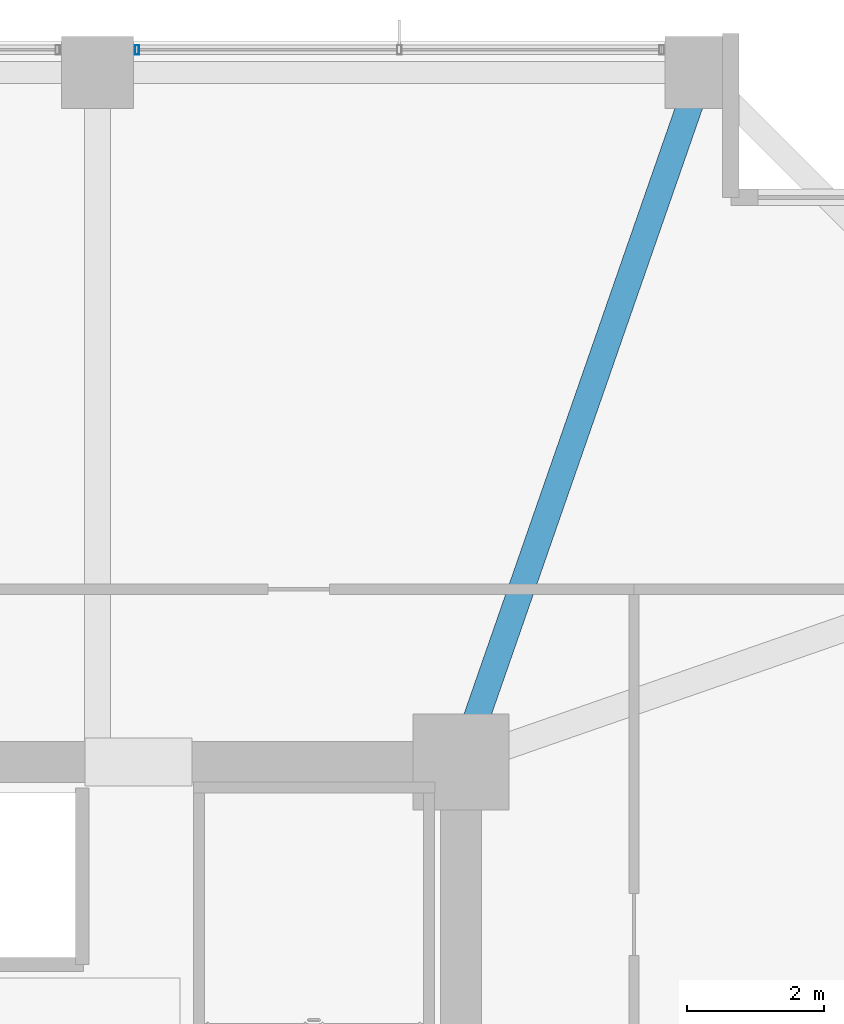
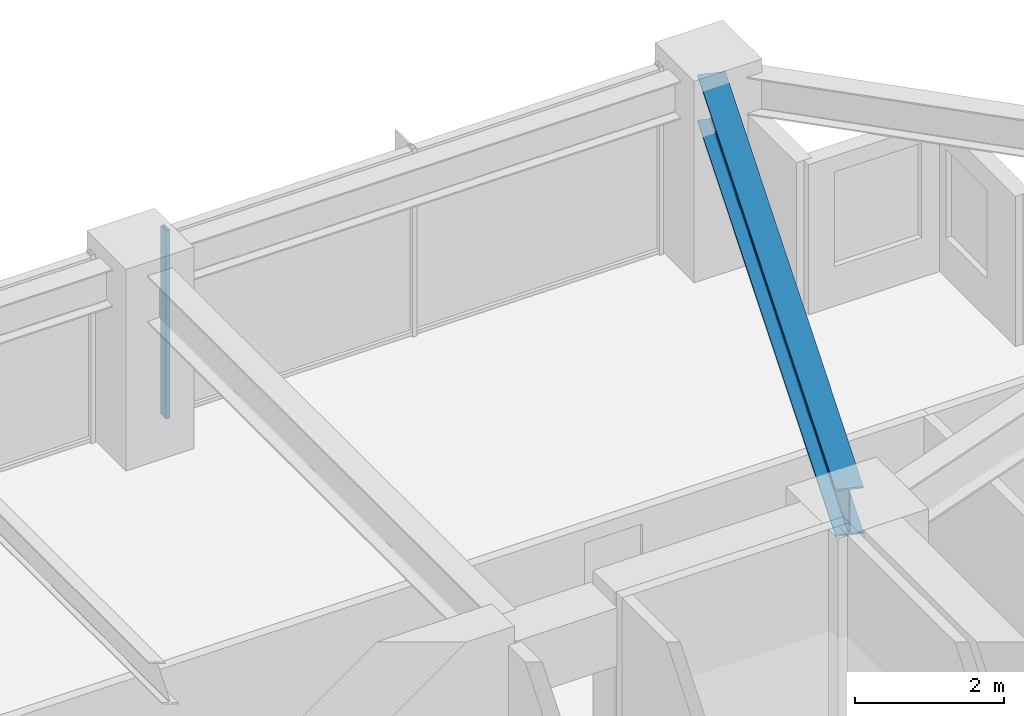
# One storey, part 22 of 36: 1 beam, 1 member, 1 element without a shape of its own.
"""IFC4 building model written with IfcOpenShell, lengths in metres."""

import ifcopenshell
import ifcopenshell.guid

model = None  # the IFC model being written
_history = None  # IfcOwnerHistory: only IFC2X3 demands one
_inside = {}  # id of a spatial element -> (the spatial element, [elements in it])
_under = {}  # id of a project, library or spatial element -> (it, [spatial elements below it])
_declared = {}  # id of a project -> (the project, [libraries it declares])
_typed = {}  # id of a type object -> (the type object, [elements of that type])
_made_of = {}  # id of a material, layer set ... -> (it, [elements and type objects made of it])


def new_model(schema):
    """Start an empty IFC model of exactly this schema.

    Asked for "IFC4X3", IfcOpenShell would pick the latest addendum, in which some entities
    have other attributes; the version numbers below select the first issue.
    IFC2X3 requires an IfcOwnerHistory on every rooted entity: one is made here for all.
    """
    global model, _history
    if schema == "IFC4X3":
        model = ifcopenshell.file(schema_version=(4, 3, 0, 0))
    else:
        model = ifcopenshell.file(schema=schema)
    _inside.clear()
    _under.clear()
    _declared.clear()
    _typed.clear()
    _made_of.clear()
    _history = None
    if model.schema == "IFC2X3":
        org = make("IfcOrganization", Name="unknown")
        user = make(
            "IfcPersonAndOrganization",
            ThePerson=make("IfcPerson", FamilyName="unknown"),
            TheOrganization=org,
        )
        app = make(
            "IfcApplication",
            ApplicationDeveloper=org,
            Version="unknown",
            ApplicationFullName="unknown",
            ApplicationIdentifier="unknown",
        )
        _history = make(
            "IfcOwnerHistory",
            OwningUser=user,
            OwningApplication=app,
            ChangeAction="ADDED",
            CreationDate=0,
        )
    return model


def make(cls, **values):
    """One entity of the class cls with the attributes given. An attribute that is None is left unset."""
    return model.create_entity(
        cls, **{name: value for name, value in values.items() if value is not None}
    )


def rooted(cls, **values):
    """An entity with a GlobalId (a new one), such as an element, a storey or a relation."""
    return make(cls, GlobalId=ifcopenshell.guid.new(), OwnerHistory=_history, **values)


def si_unit(unit_type, name, prefix=None):
    """IfcSIUnit, for example si_unit("LENGTHUNIT", "METRE", prefix="MILLI")."""
    return make("IfcSIUnit", UnitType=unit_type, Prefix=prefix, Name=name)


def assignment(units):
    """IfcUnitAssignment: the units of a project."""
    return None if units is None else make("IfcUnitAssignment", Units=units)


def point(xyz):
    """IfcCartesianPoint."""
    return None if xyz is None else make("IfcCartesianPoint", Coordinates=xyz)


def direction(xyz):
    """IfcDirection."""
    return None if xyz is None else make("IfcDirection", DirectionRatios=xyz)


def frame(location, z_axis=None, x_axis=None):
    """IfcAxis2Placement3D, a coordinate frame: its origin and axes. An axis left out is left unset."""
    return make(
        "IfcAxis2Placement3D",
        Location=point(location),
        Axis=direction(z_axis),
        RefDirection=direction(x_axis),
    )


def frame_2d(location, x_axis=None):
    """IfcAxis2Placement2D, a coordinate frame in the plane: its origin and x axis."""
    return make(
        "IfcAxis2Placement2D", Location=point(location), RefDirection=direction(x_axis)
    )


def origin():
    """The frame at (0, 0, 0) with its axes left unset."""
    return frame((0.0, 0.0, 0.0))


def origin_2d():
    """The frame at (0, 0) in the plane with its x axis left unset."""
    return frame_2d((0.0, 0.0))


def place(relative_to, where):
    """IfcLocalPlacement: puts the frame where relative to a parent placement (None: the world)."""
    return make(
        "IfcLocalPlacement", PlacementRelTo=relative_to, RelativePlacement=where
    )


def context(
    kind, dimensions, precision=None, world=None, true_north=None, identifier=None
):
    """IfcGeometricRepresentationContext, for example the 3D "Model" context."""
    return make(
        "IfcGeometricRepresentationContext",
        ContextIdentifier=identifier,
        ContextType=kind,
        CoordinateSpaceDimension=dimensions,
        Precision=precision,
        WorldCoordinateSystem=world,
        TrueNorth=true_north,
    )


def subcontext(parent, identifier, kind, view, scale=None):
    """IfcGeometricRepresentationSubContext, for example "Body" below "Model"."""
    return make(
        "IfcGeometricRepresentationSubContext",
        ContextIdentifier=identifier,
        ContextType=kind,
        ParentContext=parent,
        TargetScale=scale,
        TargetView=view,
    )


def project(units=None, contexts=None):
    """IfcProject with its units and contexts."""
    return rooted(
        "IfcProject",
        Name="project",
        RepresentationContexts=contexts,
        UnitsInContext=assignment(units),
    )


def spatial(cls, under=None, at=None, **own):
    """A site, building, storey or space (cls), placed at a placement, below another one or the project."""
    s = rooted(cls, ObjectPlacement=at, **own)
    if under is not None:
        _under.setdefault(under.id(), (under, []))[1].append(s)
    return s


def profile(cls, at=None, kind="AREA", **sizes):
    """A parametric profile (cls). Its sizes go by their IFC names, for example OverallWidth=200.0."""
    return make(cls, ProfileType=kind, Position=at, **sizes)


def hollow_rectangle(**sizes):
    """IfcRectangleHollowProfileDef."""
    return profile("IfcRectangleHollowProfileDef", **sizes)


def i_section(**sizes):
    """IfcIShapeProfileDef."""
    return profile("IfcIShapeProfileDef", **sizes)


def extrude(swept, where, along, depth):
    """IfcExtrudedAreaSolid: the profile swept, set in the frame where, extruded along a direction by depth."""
    return make(
        "IfcExtrudedAreaSolid",
        SweptArea=swept,
        Position=where,
        ExtrudedDirection=direction(along),
        Depth=depth,
    )


def shape(context_of_items, identifier, shape_type, items):
    """IfcShapeRepresentation: the items that make up one representation, for example the "Body"."""
    return make(
        "IfcShapeRepresentation",
        ContextOfItems=context_of_items,
        RepresentationIdentifier=identifier,
        RepresentationType=shape_type,
        Items=items,
    )


def material(Name=None, Category=None):
    """IfcMaterial."""
    return make("IfcMaterial", Name=Name, Category=Category)


def material_profile(
    of_material, cross_section, Name=None, Category=None, Priority=None
):
    """IfcMaterialProfile: a cross section and its material."""
    return make(
        "IfcMaterialProfile",
        Name=Name,
        Material=of_material,
        Profile=cross_section,
        Priority=Priority,
        Category=Category,
    )


def profile_set(profiles, Name=None, composite=None):
    """IfcMaterialProfileSet."""
    return make(
        "IfcMaterialProfileSet",
        Name=Name,
        MaterialProfiles=profiles,
        CompositeProfile=composite,
    )


def made_of(thing, what):
    """Note that an element or type object is made of a material, layer set ...; save() writes the relation."""
    if what is not None:
        _made_of.setdefault(what.id(), (what, []))[1].append(thing)
    return thing


def type_object(cls, material=None, **own):
    """A type object (cls), such as IfcWallType, which elements share."""
    return made_of(rooted(cls, **own), material)


def element(
    cls,
    number,
    at=None,
    inside=None,
    cuts=None,
    type_object=None,
    material=None,
    context=None,
    identifier="Body",
    shape_type=None,
    held_by="IfcProductDefinitionShape",
    body=None,
    shapes=None,
    **own,
):
    """One element of the class cls, such as IfcWall. Its Tag is "e" and its number.

    at: its placement. inside: the storey or other place that contains it. cuts: it is an
    opening in that element (IfcRelVoidsElement). A single representation is given by context,
    identifier, shape_type and body (its items); several are given by shapes. held_by: the class
    of the entity that holds the representations. save() writes the other relations.
    """
    e = rooted(cls, Tag="e%d" % number, ObjectPlacement=at, **own)
    if body is not None:
        shapes = [shape(context, identifier, shape_type, body)]
    if shapes is not None:
        e.Representation = make(held_by, Representations=shapes)
    if inside is not None:
        _inside.setdefault(inside.id(), (inside, []))[1].append(e)
    if cuts is not None:
        rooted(
            "IfcRelVoidsElement", RelatingBuildingElement=cuts, RelatedOpeningElement=e
        )
    if type_object is not None:
        _typed.setdefault(type_object.id(), (type_object, []))[1].append(e)
    return made_of(e, material)


def aggregate(whole, parts):
    """IfcRelAggregates: a whole, such as a stair, and the parts it consists of."""
    return rooted("IfcRelAggregates", RelatingObject=whole, RelatedObjects=parts)


def save(model, path):
    """Write the relations noted so far, then the file.

    IfcRelAggregates (storeys below a building ...), IfcRelContainedInSpatialStructure (elements
    in a storey), IfcRelDefinesByType, IfcRelAssociatesMaterial and IfcRelDeclares: one each for
    every whole, place, type object, material and project.
    """
    for whole, parts in _under.values():
        aggregate(whole, parts)
    for where, things in _inside.values():
        rooted(
            "IfcRelContainedInSpatialStructure",
            RelatedElements=things,
            RelatingStructure=where,
        )
    for kind, things in _typed.values():
        rooted("IfcRelDefinesByType", RelatedObjects=things, RelatingType=kind)
    for what, things in _made_of.values():
        rooted("IfcRelAssociatesMaterial", RelatedObjects=things, RelatingMaterial=what)
    for by, libraries in _declared.values():
        rooted("IfcRelDeclares", RelatingContext=by, RelatedDefinitions=libraries)
    model.write(path)


model = new_model("IFC4")

# Units and contexts
model_context = context("Model", 3, precision=1e-05, world=origin(), true_north=direction((0.0, 1.0)))
body_context = subcontext(model_context, "Body", "Model", "MODEL_VIEW")
ifc_project = project(units=[si_unit("LENGTHUNIT", "METRE"), si_unit("AREAUNIT", "SQUARE_METRE"), si_unit("VOLUMEUNIT", "CUBIC_METRE"), si_unit("PLANEANGLEUNIT", "RADIAN"), si_unit("MASSUNIT", "GRAM", prefix="KILO")], contexts=[model_context])

# Site, building, storey
site_placement = place(None, origin())
site = spatial("IfcSite", under=ifc_project, at=site_placement, CompositionType="ELEMENT")
building_placement = place(site_placement, origin())
building = spatial("IfcBuilding", under=site, at=building_placement, Name="Kolvaren Belvedere", CompositionType="ELEMENT")
storey_placement = place(building_placement, frame((0.0, 0.0, 88.699951171875)))
storey = spatial("IfcBuildingStorey", under=building, at=storey_placement, Name="L25", CompositionType="ELEMENT", Elevation=88.699951171875)

# Beam
ifc_material_1 = material(Name="Structural steel ASTM A992 Grade 50", Category="steel")
ifc_material_profile_1 = material_profile(ifc_material_1, i_section(OverallWidth=0.381103515625, OverallDepth=0.77294921875, WebThickness=0.0166015625, FlangeThickness=0.027099609375, FilletRadius=0.02392578125, at=origin_2d()), Name="W30X173")
ifc_profile_set_1 = profile_set([ifc_material_profile_1], Name="Structural steel ASTM A992 Grade 50")
beam_type = type_object("IfcBeamType", Name="BM-GIRD-W30X173", PredefinedType="BEAM", material=ifc_profile_set_1)
beam_placement = place(storey_placement, frame((10.080810546875, 10.41943359375, 2.693603515625), z_axis=(0.328880894453, 0.944371408538, 0.0), x_axis=(-0.944371408538, 0.328880894453, 0.0)))
element("IfcBeam", 1, at=beam_placement, inside=storey, type_object=beam_type, Name="L25 Corner Core-to-Perimeter Girder CC3-N4", PredefinedType="BEAM", context=body_context, shape_type="SweptSolid", body=[
    extrude(i_section(OverallWidth=0.381103515625, OverallDepth=0.77294921875, WebThickness=0.0166015625, FlangeThickness=0.027099609375, FilletRadius=0.02392578125, at=origin_2d()), origin(), (0.0, 0.0, 1.0), 9.882080078125),
])

# Curtain wall, member
ifc_material_2 = material(Name="Anodised pale-metal aluminium AA 6063-T6", Category="aluminium")
curtain_wall_type = type_object("IfcCurtainWallType", Name="CW-Z2-MID", PredefinedType="NOTDEFINED", material=ifc_material_2)
curtain_wall_placement = place(storey_placement, origin())
curtain_wall = element("IfcCurtainWall", 2, at=curtain_wall_placement, inside=storey, type_object=curtain_wall_type, Name="L25 Unitised Curtain Wall FCW-L25-N-B3", PredefinedType="NOTDEFINED")
ifc_material_3 = material(Name="Anodised pale-metal aluminium AA 6063-T6", Category="aluminium")
ifc_material_profile_2 = material_profile(ifc_material_3, hollow_rectangle(XDim=0.06494140625, YDim=0.139892578125, WallThickness=0.00390625, at=origin_2d()), Name="ALU-MUL-140X65")
ifc_profile_set_2 = profile_set([ifc_material_profile_2], Name="Anodised pale-metal aluminium AA 6063-T6")
member_type = type_object("IfcMemberType", Name="CW-MUL-140", PredefinedType="MULLION", material=ifc_profile_set_2)
member_placement = place(storey_placement, frame((5.177490234375, 20.280029296875, 0.0), z_axis=(0.0, 0.0, 1.0), x_axis=(1.0, 0.0, 0.0)))
member = element("IfcMember", 3, at=member_placement, type_object=member_type, Name="FCW-L25-N-B3 Unitised Mullion 1", PredefinedType="MULLION", context=body_context, shape_type="SweptSolid", body=[
    extrude(hollow_rectangle(XDim=0.06494140625, YDim=0.139892578125, WallThickness=0.00390625, at=origin_2d()), origin(), (0.0, 0.0, 1.0), 3.080078125),
])
aggregate(curtain_wall, [member])

save(model, "model.ifc")
